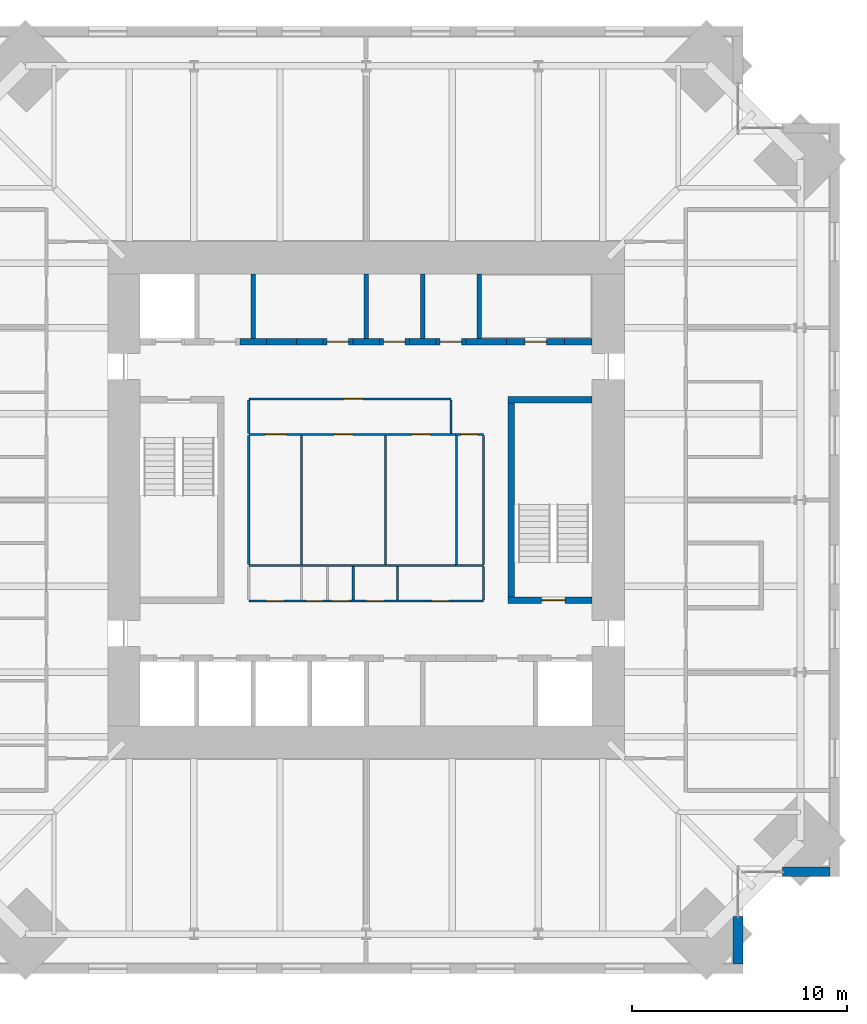
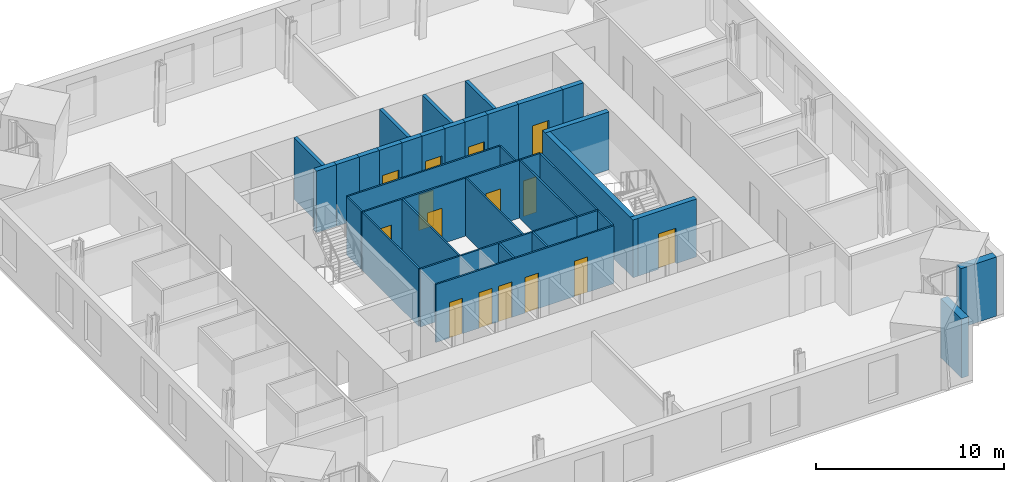
# One storey, part 13 of 16: 36 walls, 15 doors, 15 openings.
"""IFC4 building model written with IfcOpenShell, lengths in metres."""

from ifc_helpers import new_model, si_unit, direction, frame, frame_2d, origin, place, context, subcontext, project, spatial, rectangle, extrude, material, layer, layer_set, type_object, element, fill, save


model = new_model("IFC4")

# Units and contexts
model_context = context("Model", 3, precision=1e-05, world=origin(), true_north=direction((0.0, 1.0)))
body_context = subcontext(model_context, "Body", "Model", "MODEL_VIEW")
ifc_project = project(units=[si_unit("LENGTHUNIT", "METRE"), si_unit("AREAUNIT", "SQUARE_METRE"), si_unit("VOLUMEUNIT", "CUBIC_METRE"), si_unit("PLANEANGLEUNIT", "RADIAN"), si_unit("MASSUNIT", "GRAM", prefix="KILO")], contexts=[model_context])

# Site, building, storey
site_placement = place(None, origin())
site = spatial("IfcSite", under=ifc_project, at=site_placement, CompositionType="ELEMENT")
building_placement = place(site_placement, origin())
building = spatial("IfcBuilding", under=site, at=building_placement, Name="Peilmerk Tower", CompositionType="ELEMENT")
storey_placement = place(building_placement, frame((0.0, 0.0, 265.800048828125)))
storey = spatial("IfcBuildingStorey", under=building, at=storey_placement, Name="L59", CompositionType="ELEMENT", Elevation=265.800048828125)

# Walls
ifc_material_1 = material(Name="Precast concrete C45/55, board-marked finish", Category="concrete")
ifc_layer_1 = layer(ifc_material_1, 0.449951171875)
ifc_layer_set_1 = layer_set([ifc_layer_1], Name="Precast concrete C45/55, board-marked finish")
wall_type_1 = type_object("IfcWallType", Name="EW1 450 precast concrete facade wall, board-marked", PredefinedType="SOLIDWALL", material=ifc_layer_set_1)
for number, where, z_axis, x_axis, name in (
    (1, (17.27490234375, -19.353759765625, 0.0), (0.0, 0.0, 1.0), (0.0, -1.0, 0.0), "Facade wall SEA L59"),
    (2, (19.353759765625, -17.27490234375, 0.0), (0.0, 0.0, 1.0), (1.0, 0.0, 0.0), "Facade wall SEB L59"),
):
    element("IfcWall", number, at=place(storey_placement, frame(where, z_axis=z_axis, x_axis=x_axis)), inside=storey, type_object=wall_type_1, Name=name, PredefinedType="SOLIDWALL", context=body_context, shape_type="SweptSolid", body=[
        extrude(rectangle(XDim=2.1962890625, YDim=0.449951171875, at=frame_2d((1.09814453125, 0.0))), origin(), (0.0, 0.0, 1.0), 3.829833984375),
    ])
ifc_material_2 = material(Name="Concrete C35/45", Category="concrete")
ifc_layer_2 = layer(ifc_material_2, 0.300048828125)
ifc_layer_set_2 = layer_set([ifc_layer_2], Name="Concrete C35/45")
wall_type_2 = type_object("IfcWallType", Name="IW3 300 concrete stair enclosure wall, EI 120", PredefinedType="SOLIDWALL", material=ifc_layer_set_2)
wall_1_placement = place(storey_placement, frame((6.75, -4.800048828125, 0.0), z_axis=(0.0, 0.0, 1.0), x_axis=(0.0, 1.0, 0.0)))
element("IfcWall", 3, at=wall_1_placement, inside=storey, type_object=wall_type_2, Name="Stair 2 enclosure L59", PredefinedType="SOLIDWALL", context=body_context, shape_type="SweptSolid", body=[
    extrude(rectangle(XDim=9.60009765625, YDim=0.300048828125, at=frame_2d((4.800048828125, 0.0))), origin(), (0.0, 0.0, 1.0), 3.75),
])
wall_2_placement = place(storey_placement, frame((6.60009765625, 4.64990234375, 0.0), z_axis=(0.0, 0.0, 1.0), x_axis=(1.0, 0.0, 0.0)))
element("IfcWall", 4, at=wall_2_placement, inside=storey, type_object=wall_type_2, Name="Stair 2 enclosure L59", PredefinedType="SOLIDWALL", context=body_context, shape_type="SweptSolid", body=[
    extrude(rectangle(XDim=3.89990234375, YDim=0.300048828125, at=frame_2d((1.949951171875, 0.0))), origin(), (0.0, 0.0, 1.0), 3.75),
])

# Wall, opening, door
wall_3_placement = place(storey_placement, frame((10.5, -4.64990234375, 0.0), z_axis=(0.0, 0.0, 1.0), x_axis=(-1.0, 0.0, 0.0)))
wall_3 = element("IfcWall", 5, at=wall_3_placement, inside=storey, type_object=wall_type_2, Name="Stair 2 enclosure L59", PredefinedType="SOLIDWALL", context=body_context, shape_type="SweptSolid", body=[
    extrude(rectangle(XDim=3.89990234375, YDim=0.300048828125, at=frame_2d((1.949951171875, 0.0))), origin(), (0.0, 0.0, 1.0), 3.75),
])
opening_1_placement = place(wall_3_placement, frame((1.25, 0.0, 0.0)))
opening_1 = element("IfcOpeningElement", 6, at=opening_1_placement, cuts=wall_3, Name="Opening D4", PredefinedType="OPENING", context=body_context, shape_type="SweptSolid", body=[
    extrude(rectangle(XDim=1.10009765625, YDim=2.300048828125, at=frame_2d((0.550048828125, 1.14990234375))), frame((0.0, 0.159912109375, 0.0), z_axis=(0.0, -1.0, 0.0), x_axis=(1.0, 0.0, 0.0)), (0.0, 0.0, 1.0), 0.320068359375),
])
ifc_material_3 = material(Name="Steel door in steel frame", Category="steel")
door_type_1 = type_object("IfcDoorType", Name="D4 1100x2300 stair door, EI2 60", OperationType="SINGLE_SWING_RIGHT", PredefinedType="DOOR", material=ifc_material_3)
door_1_placement = place(opening_1_placement, frame((1.10009765625, 0.0, 0.0), z_axis=(0.0, 0.0, 1.0), x_axis=(-1.0, 0.0, 0.0)))
door_1 = element("IfcDoor", 7, at=door_1_placement, inside=storey, type_object=door_type_1, Name="Stair 2 door L59", OperationType="SINGLE_SWING_RIGHT", OverallHeight=2.300048828125, OverallWidth=1.10009765625, PredefinedType="DOOR", context=body_context, shape_type="SweptSolid", body=[
    extrude(rectangle(XDim=1.10009765625, YDim=2.300048828125, at=frame_2d((0.550048828125, 1.14990234375))), frame((0.0, 0.02490234375, 0.0), z_axis=(0.0, -1.0, 0.0), x_axis=(1.0, 0.0, 0.0)), (0.0, 0.0, 1.0), 0.050048828125),
])
fill(opening_1, door_1)

# Wall, openings, doors
ifc_material_4 = material(Name="Plasterboard on steel studs", Category="steel")
ifc_layer_3 = layer(ifc_material_4, 0.10009765625)
ifc_layer_set_3 = layer_set([ifc_layer_3], Name="Plasterboard on steel studs")
wall_type_3 = type_object("IfcWallType", Name="IW4 100 WC partition", PredefinedType="PARTITIONING", material=ifc_layer_set_3)
wall_4_placement = place(storey_placement, frame((-5.449951171875, 3.050048828125, 0.0), z_axis=(0.0, 0.0, 1.0), x_axis=(1.0, 0.0, 0.0)))
wall_4 = element("IfcWall", 8, at=wall_4_placement, inside=storey, type_object=wall_type_3, Name="WC wall L59", PredefinedType="PARTITIONING", context=body_context, shape_type="SweptSolid", body=[
    extrude(rectangle(XDim=9.599853515625, YDim=0.10009765625, at=frame_2d((4.7998046875, 0.0))), origin(), (0.0, 0.0, 1.0), 3.75),
])
opening_2_placement = place(wall_4_placement, frame((0.75, 0.0, 0.0)))
opening_2 = element("IfcOpeningElement", 9, at=opening_2_placement, cuts=wall_4, Name="Opening D6", PredefinedType="OPENING", context=body_context, shape_type="SweptSolid", body=[
    extrude(rectangle(XDim=1.0, YDim=2.300048828125, at=frame_2d((0.5, 1.14990234375))), frame((0.0, 0.06005859375, 0.0), z_axis=(0.0, -1.0, 0.0), x_axis=(1.0, 0.0, 0.0)), (0.0, 0.0, 1.0), 0.1201171875),
])
opening_3_placement = place(wall_4_placement, frame((3.949951171875, 0.0, 0.0)))
opening_3 = element("IfcOpeningElement", 10, at=opening_3_placement, cuts=wall_4, Name="Opening D5", PredefinedType="OPENING", context=body_context, shape_type="SweptSolid", body=[
    extrude(rectangle(XDim=0.89990234375, YDim=2.300048828125, at=frame_2d((0.449951171875, 1.14990234375))), frame((0.0, 0.06005859375, 0.0), z_axis=(0.0, -1.0, 0.0), x_axis=(1.0, 0.0, 0.0)), (0.0, 0.0, 1.0), 0.1201171875),
])
opening_4_placement = place(wall_4_placement, frame((7.550048828125, 0.0, 0.0)))
opening_4 = element("IfcOpeningElement", 11, at=opening_4_placement, cuts=wall_4, Name="Opening D5", PredefinedType="OPENING", context=body_context, shape_type="SweptSolid", body=[
    extrude(rectangle(XDim=0.89990234375, YDim=2.300048828125, at=frame_2d((0.449951171875, 1.14990234375))), frame((0.0, 0.06005859375, 0.0), z_axis=(0.0, -1.0, 0.0), x_axis=(1.0, 0.0, 0.0)), (0.0, 0.0, 1.0), 0.1201171875),
])
ifc_material_5 = material(Name="Timber door in steel frame", Category="steel")
door_type_2 = type_object("IfcDoorType", Name="D5 900x2300 WC door", OperationType="SINGLE_SWING_LEFT", PredefinedType="DOOR", material=ifc_material_5)
door_2_placement = place(opening_3_placement, frame((0.89990234375, 0.0, 0.0), z_axis=(0.0, 0.0, 1.0), x_axis=(-1.0, 0.0, 0.0)))
door_2 = element("IfcDoor", 12, at=door_2_placement, inside=storey, type_object=door_type_2, Name="Female toilets door L59", OperationType="SINGLE_SWING_LEFT", OverallHeight=2.300048828125, OverallWidth=0.89990234375, PredefinedType="DOOR", context=body_context, shape_type="SweptSolid", body=[
    extrude(rectangle(XDim=0.89990234375, YDim=2.300048828125, at=frame_2d((0.449951171875, 1.14990234375))), frame((0.0, 0.02490234375, 0.0), z_axis=(0.0, -1.0, 0.0), x_axis=(1.0, 0.0, 0.0)), (0.0, 0.0, 1.0), 0.050048828125),
])
fill(opening_3, door_2)
door_3_placement = place(opening_4_placement, frame((0.89990234375, 0.0, 0.0), z_axis=(0.0, 0.0, 1.0), x_axis=(-1.0, 0.0, 0.0)))
door_3 = element("IfcDoor", 13, at=door_3_placement, inside=storey, type_object=door_type_2, Name="Male toilets door L59", OperationType="SINGLE_SWING_LEFT", OverallHeight=2.300048828125, OverallWidth=0.89990234375, PredefinedType="DOOR", context=body_context, shape_type="SweptSolid", body=[
    extrude(rectangle(XDim=0.89990234375, YDim=2.300048828125, at=frame_2d((0.449951171875, 1.14990234375))), frame((0.0, 0.02490234375, 0.0), z_axis=(0.0, -1.0, 0.0), x_axis=(1.0, 0.0, 0.0)), (0.0, 0.0, 1.0), 0.050048828125),
])
fill(opening_4, door_3)
door_type_3 = type_object("IfcDoorType", Name="D6 1000x2300 accessible WC door", OperationType="SLIDING_TO_LEFT", PredefinedType="DOOR", material=ifc_material_5)
door_4_placement = place(opening_2_placement, frame((1.0, 0.0, 0.0), z_axis=(0.0, 0.0, 1.0), x_axis=(-1.0, 0.0, 0.0)))
door_4 = element("IfcDoor", 14, at=door_4_placement, inside=storey, type_object=door_type_3, Name="Accessible WC door L59", OperationType="SLIDING_TO_LEFT", OverallHeight=2.300048828125, OverallWidth=1.0, PredefinedType="DOOR", context=body_context, shape_type="SweptSolid", body=[
    extrude(rectangle(XDim=1.0, YDim=2.300048828125, at=frame_2d((0.5, 1.14990234375))), frame((0.0, 0.02490234375, 0.0), z_axis=(0.0, -1.0, 0.0), x_axis=(1.0, 0.0, 0.0)), (0.0, 0.0, 1.0), 0.050048828125),
])
fill(opening_2, door_4)

# Walls
wall_5_placement = place(storey_placement, frame((4.14990234375, -3.050048828125, 0.0), z_axis=(0.0, 0.0, 1.0), x_axis=(-1.0, 0.0, 0.0)))
element("IfcWall", 15, at=wall_5_placement, inside=storey, type_object=wall_type_3, Name="WC wall L59", PredefinedType="PARTITIONING", context=body_context, shape_type="SweptSolid", body=[
    extrude(rectangle(XDim=9.599853515625, YDim=0.10009765625, at=frame_2d((4.7998046875, 0.0))), origin(), (0.0, 0.0, 1.0), 3.75),
])
for number, where, z_axis, x_axis, name in (
    (16, (-5.449951171875, -3.0, 0.0), (0.0, 0.0, 1.0), (0.0, 1.0, 0.0), "WC wall L59"),
    (17, (-3.0, -3.0, 0.0), (0.0, 0.0, 1.0), (0.0, 1.0, 0.0), "WC wall L59"),
    (18, (0.89990234375, -3.0, 0.0), (0.0, 0.0, 1.0), (0.0, 1.0, 0.0), "WC wall L59"),
):
    element("IfcWall", number, at=place(storey_placement, frame(where, z_axis=z_axis, x_axis=x_axis)), inside=storey, type_object=wall_type_3, Name=name, PredefinedType="PARTITIONING", context=body_context, shape_type="SweptSolid", body=[
        extrude(rectangle(XDim=6.0, YDim=0.10009765625, at=frame_2d((3.0, 0.0))), origin(), (0.0, 0.0, 1.0), 3.75),
    ])

# Wall, opening, door
ifc_material_6 = material(Name="Calcium silicate board on steel studs", Category="steel")
ifc_layer_4 = layer(ifc_material_6, 0.10009765625)
ifc_layer_set_4 = layer_set([ifc_layer_4], Name="Calcium silicate board on steel studs")
wall_type_4 = type_object("IfcWallType", Name="IW5 100 riser enclosure wall, EI 60", PredefinedType="PARTITIONING", material=ifc_layer_set_4)
wall_6_placement = place(storey_placement, frame((4.14990234375, 3.050048828125, 0.0), z_axis=(0.0, 0.0, 1.0), x_axis=(1.0, 0.0, 0.0)))
wall_6 = element("IfcWall", 19, at=wall_6_placement, inside=storey, type_object=wall_type_4, Name="Riser wall L59", PredefinedType="PARTITIONING", context=body_context, shape_type="SweptSolid", body=[
    extrude(rectangle(XDim=1.300048828125, YDim=0.10009765625, at=frame_2d((0.64990234375, 0.0))), origin(), (0.0, 0.0, 1.0), 3.75),
])
opening_5_placement = place(wall_6_placement, frame((0.25, 0.0, 0.0)))
opening_5 = element("IfcOpeningElement", 20, at=opening_5_placement, cuts=wall_6, Name="Opening D7", PredefinedType="OPENING", context=body_context, shape_type="SweptSolid", body=[
    extrude(rectangle(XDim=0.800048828125, YDim=2.300048828125, at=frame_2d((0.39990234375, 1.14990234375))), frame((0.0, 0.06005859375, 0.0), z_axis=(0.0, -1.0, 0.0), x_axis=(1.0, 0.0, 0.0)), (0.0, 0.0, 1.0), 0.1201171875),
])
door_type_4 = type_object("IfcDoorType", Name="D7 800x2300 riser access door, EI2 60", OperationType="SINGLE_SWING_RIGHT", PredefinedType="DOOR", material=ifc_material_3)
door_5_placement = place(opening_5_placement, frame((0.800048828125, 0.0, 0.0), z_axis=(0.0, 0.0, 1.0), x_axis=(-1.0, 0.0, 0.0)))
door_5 = element("IfcDoor", 21, at=door_5_placement, inside=storey, type_object=door_type_4, Name="Plumbing riser door L59", OperationType="SINGLE_SWING_RIGHT", OverallHeight=2.300048828125, OverallWidth=0.800048828125, PredefinedType="DOOR", context=body_context, shape_type="SweptSolid", body=[
    extrude(rectangle(XDim=0.800048828125, YDim=2.300048828125, at=frame_2d((0.39990234375, 1.14990234375))), frame((0.0, 0.02490234375, 0.0), z_axis=(0.0, -1.0, 0.0), x_axis=(1.0, 0.0, 0.0)), (0.0, 0.0, 1.0), 0.050048828125),
])
fill(opening_5, door_5)

# Walls
wall_7_placement = place(storey_placement, frame((5.449951171875, -3.050048828125, 0.0), z_axis=(0.0, 0.0, 1.0), x_axis=(-1.0, 0.0, 0.0)))
element("IfcWall", 22, at=wall_7_placement, inside=storey, type_object=wall_type_4, Name="Riser wall L59", PredefinedType="PARTITIONING", context=body_context, shape_type="SweptSolid", body=[
    extrude(rectangle(XDim=1.300048828125, YDim=0.10009765625, at=frame_2d((0.64990234375, 0.0))), origin(), (0.0, 0.0, 1.0), 3.75),
])
for number, where, z_axis, x_axis, name in (
    (23, (5.449951171875, 3.0, 0.0), (0.0, 0.0, 1.0), (0.0, -1.0, 0.0), "Riser wall L59"),
    (24, (4.199951171875, -3.0, 0.0), (0.0, 0.0, 1.0), (0.0, 1.0, 0.0), "Riser wall L59"),
):
    element("IfcWall", number, at=place(storey_placement, frame(where, z_axis=z_axis, x_axis=x_axis)), inside=storey, type_object=wall_type_4, Name=name, PredefinedType="PARTITIONING", context=body_context, shape_type="SweptSolid", body=[
        extrude(rectangle(XDim=6.0, YDim=0.10009765625, at=frame_2d((3.0, 0.0))), origin(), (0.0, 0.0, 1.0), 3.75),
    ])

# Wall, openings, doors
wall_8_placement = place(storey_placement, frame((5.449951171875, -4.699951171875, 0.0), z_axis=(0.0, 0.0, 1.0), x_axis=(-1.0, 0.0, 0.0)))
wall_8 = element("IfcWall", 25, at=wall_8_placement, inside=storey, type_object=wall_type_4, Name="Riser wall L59", PredefinedType="PARTITIONING", context=body_context, shape_type="SweptSolid", body=[
    extrude(rectangle(XDim=10.89990234375, YDim=0.10009765625, at=frame_2d((5.449951171875, 0.0))), origin(), (0.0, 0.0, 1.0), 3.75),
])
opening_6_placement = place(wall_8_placement, frame((9.27490234375, 0.0, 0.0)))
opening_6 = element("IfcOpeningElement", 26, at=opening_6_placement, cuts=wall_8, Name="Opening D7", PredefinedType="OPENING", context=body_context, shape_type="SweptSolid", body=[
    extrude(rectangle(XDim=0.800048828125, YDim=2.300048828125, at=frame_2d((0.39990234375, 1.14990234375))), frame((0.0, 0.06005859375, 0.0), z_axis=(0.0, -1.0, 0.0), x_axis=(1.0, 0.0, 0.0)), (0.0, 0.0, 1.0), 0.1201171875),
])
opening_7_placement = place(wall_8_placement, frame((7.449951171875, 0.0, 0.0)))
opening_7 = element("IfcOpeningElement", 27, at=opening_7_placement, cuts=wall_8, Name="Opening D7", PredefinedType="OPENING", context=body_context, shape_type="SweptSolid", body=[
    extrude(rectangle(XDim=0.800048828125, YDim=2.300048828125, at=frame_2d((0.39990234375, 1.14990234375))), frame((0.0, 0.06005859375, 0.0), z_axis=(0.0, -1.0, 0.0), x_axis=(1.0, 0.0, 0.0)), (0.0, 0.0, 1.0), 0.1201171875),
])
opening_8_placement = place(wall_8_placement, frame((6.25, 0.0, 0.0)))
opening_8 = element("IfcOpeningElement", 28, at=opening_8_placement, cuts=wall_8, Name="Opening D7", PredefinedType="OPENING", context=body_context, shape_type="SweptSolid", body=[
    extrude(rectangle(XDim=0.800048828125, YDim=2.300048828125, at=frame_2d((0.39990234375, 1.14990234375))), frame((0.0, 0.06005859375, 0.0), z_axis=(0.0, -1.0, 0.0), x_axis=(1.0, 0.0, 0.0)), (0.0, 0.0, 1.0), 0.1201171875),
])
opening_9_placement = place(wall_8_placement, frame((4.625, 0.0, 0.0)))
opening_9 = element("IfcOpeningElement", 29, at=opening_9_placement, cuts=wall_8, Name="Opening D7", PredefinedType="OPENING", context=body_context, shape_type="SweptSolid", body=[
    extrude(rectangle(XDim=0.800048828125, YDim=2.300048828125, at=frame_2d((0.39990234375, 1.14990234375))), frame((0.0, 0.06005859375, 0.0), z_axis=(0.0, -1.0, 0.0), x_axis=(1.0, 0.0, 0.0)), (0.0, 0.0, 1.0), 0.1201171875),
])
opening_10_placement = place(wall_8_placement, frame((1.60009765625, 0.0, 0.0)))
opening_10 = element("IfcOpeningElement", 30, at=opening_10_placement, cuts=wall_8, Name="Opening D7", PredefinedType="OPENING", context=body_context, shape_type="SweptSolid", body=[
    extrude(rectangle(XDim=0.800048828125, YDim=2.300048828125, at=frame_2d((0.39990234375, 1.14990234375))), frame((0.0, 0.06005859375, 0.0), z_axis=(0.0, -1.0, 0.0), x_axis=(1.0, 0.0, 0.0)), (0.0, 0.0, 1.0), 0.1201171875),
])
door_6_placement = place(opening_6_placement, frame((0.800048828125, 0.0, 0.0), z_axis=(0.0, 0.0, 1.0), x_axis=(-1.0, 0.0, 0.0)))
door_6 = element("IfcDoor", 31, at=door_6_placement, inside=storey, type_object=door_type_4, Name="Cleaner's cupboard door L59", OperationType="SINGLE_SWING_RIGHT", OverallHeight=2.300048828125, OverallWidth=0.800048828125, PredefinedType="DOOR", context=body_context, shape_type="SweptSolid", body=[
    extrude(rectangle(XDim=0.800048828125, YDim=2.300048828125, at=frame_2d((0.39990234375, 1.14990234375))), frame((0.0, 0.02490234375, 0.0), z_axis=(0.0, -1.0, 0.0), x_axis=(1.0, 0.0, 0.0)), (0.0, 0.0, 1.0), 0.050048828125),
])
fill(opening_6, door_6)
door_7_placement = place(opening_7_placement, frame((0.800048828125, 0.0, 0.0), z_axis=(0.0, 0.0, 1.0), x_axis=(-1.0, 0.0, 0.0)))
door_7 = element("IfcDoor", 32, at=door_7_placement, inside=storey, type_object=door_type_4, Name="Electrical riser door L59", OperationType="SINGLE_SWING_RIGHT", OverallHeight=2.300048828125, OverallWidth=0.800048828125, PredefinedType="DOOR", context=body_context, shape_type="SweptSolid", body=[
    extrude(rectangle(XDim=0.800048828125, YDim=2.300048828125, at=frame_2d((0.39990234375, 1.14990234375))), frame((0.0, 0.02490234375, 0.0), z_axis=(0.0, -1.0, 0.0), x_axis=(1.0, 0.0, 0.0)), (0.0, 0.0, 1.0), 0.050048828125),
])
fill(opening_7, door_7)
door_8_placement = place(opening_8_placement, frame((0.800048828125, 0.0, 0.0), z_axis=(0.0, 0.0, 1.0), x_axis=(-1.0, 0.0, 0.0)))
door_8 = element("IfcDoor", 33, at=door_8_placement, inside=storey, type_object=door_type_4, Name="Data riser door L59", OperationType="SINGLE_SWING_RIGHT", OverallHeight=2.300048828125, OverallWidth=0.800048828125, PredefinedType="DOOR", context=body_context, shape_type="SweptSolid", body=[
    extrude(rectangle(XDim=0.800048828125, YDim=2.300048828125, at=frame_2d((0.39990234375, 1.14990234375))), frame((0.0, 0.02490234375, 0.0), z_axis=(0.0, -1.0, 0.0), x_axis=(1.0, 0.0, 0.0)), (0.0, 0.0, 1.0), 0.050048828125),
])
fill(opening_8, door_8)
door_9_placement = place(opening_9_placement, frame((0.800048828125, 0.0, 0.0), z_axis=(0.0, 0.0, 1.0), x_axis=(-1.0, 0.0, 0.0)))
door_9 = element("IfcDoor", 34, at=door_9_placement, inside=storey, type_object=door_type_4, Name="Electrical room door L59", OperationType="SINGLE_SWING_RIGHT", OverallHeight=2.300048828125, OverallWidth=0.800048828125, PredefinedType="DOOR", context=body_context, shape_type="SweptSolid", body=[
    extrude(rectangle(XDim=0.800048828125, YDim=2.300048828125, at=frame_2d((0.39990234375, 1.14990234375))), frame((0.0, 0.02490234375, 0.0), z_axis=(0.0, -1.0, 0.0), x_axis=(1.0, 0.0, 0.0)), (0.0, 0.0, 1.0), 0.050048828125),
])
fill(opening_9, door_9)
door_10_placement = place(opening_10_placement, frame((0.800048828125, 0.0, 0.0), z_axis=(0.0, 0.0, 1.0), x_axis=(-1.0, 0.0, 0.0)))
door_10 = element("IfcDoor", 35, at=door_10_placement, inside=storey, type_object=door_type_4, Name="Comms room door L59", OperationType="SINGLE_SWING_RIGHT", OverallHeight=2.300048828125, OverallWidth=0.800048828125, PredefinedType="DOOR", context=body_context, shape_type="SweptSolid", body=[
    extrude(rectangle(XDim=0.800048828125, YDim=2.300048828125, at=frame_2d((0.39990234375, 1.14990234375))), frame((0.0, 0.02490234375, 0.0), z_axis=(0.0, -1.0, 0.0), x_axis=(1.0, 0.0, 0.0)), (0.0, 0.0, 1.0), 0.050048828125),
])
fill(opening_10, door_10)

# Walls
for number, where, z_axis, x_axis, name in (
    (36, (5.449951171875, -3.10009765625, 0.0), (0.0, 0.0, 1.0), (0.0, -1.0, 0.0), "Riser wall L59"),
    (37, (-0.60009765625, -3.10009765625, 0.0), (0.0, 0.0, 1.0), (0.0, -1.0, 0.0), "Riser wall L59"),
    (38, (1.449951171875, -3.10009765625, 0.0), (0.0, 0.0, 1.0), (0.0, -1.0, 0.0), "Riser wall L59"),
):
    element("IfcWall", number, at=place(storey_placement, frame(where, z_axis=z_axis, x_axis=x_axis)), inside=storey, type_object=wall_type_4, Name=name, PredefinedType="PARTITIONING", context=body_context, shape_type="SweptSolid", body=[
        extrude(rectangle(XDim=1.5498046875, YDim=0.10009765625, at=frame_2d((0.77490234375, 0.0))), origin(), (0.0, 0.0, 1.0), 3.75),
    ])

# Wall, opening, door
ifc_material_7 = material(Name="Fire-resisting plasterboard on steel studs", Category="steel")
ifc_layer_5 = layer(ifc_material_7, 0.10009765625)
ifc_layer_set_5 = layer_set([ifc_layer_5], Name="Fire-resisting plasterboard on steel studs")
wall_type_5 = type_object("IfcWallType", Name="IW9 100 WC lobby wall, EI 30", PredefinedType="PARTITIONING", material=ifc_layer_set_5)
wall_9_placement = place(storey_placement, frame((-5.449951171875, 4.699951171875, 0.0), z_axis=(0.0, 0.0, 1.0), x_axis=(1.0, 0.0, 0.0)))
wall_9 = element("IfcWall", 39, at=wall_9_placement, inside=storey, type_object=wall_type_5, Name="WC lobby wall L59", PredefinedType="PARTITIONING", context=body_context, shape_type="SweptSolid", body=[
    extrude(rectangle(XDim=9.39990234375, YDim=0.10009765625, at=frame_2d((4.699951171875, 0.0))), origin(), (0.0, 0.0, 1.0), 3.75),
])
opening_11_placement = place(wall_9_placement, frame((4.39990234375, 0.0, 0.0)))
opening_11 = element("IfcOpeningElement", 40, at=opening_11_placement, cuts=wall_9, Name="Opening D11", PredefinedType="OPENING", context=body_context, shape_type="SweptSolid", body=[
    extrude(rectangle(XDim=0.89990234375, YDim=2.300048828125, at=frame_2d((0.449951171875, 1.14990234375))), frame((0.0, 0.06005859375, 0.0), z_axis=(0.0, -1.0, 0.0), x_axis=(1.0, 0.0, 0.0)), (0.0, 0.0, 1.0), 0.1201171875),
])
door_type_5 = type_object("IfcDoorType", Name="D11 900x2300 WC lobby door, EI2 30", OperationType="SINGLE_SWING_LEFT", PredefinedType="DOOR", material=ifc_material_5)
door_11_placement = place(opening_11_placement, frame((0.89990234375, 0.0, 0.0), z_axis=(0.0, 0.0, 1.0), x_axis=(-1.0, 0.0, 0.0)))
door_11 = element("IfcDoor", 41, at=door_11_placement, inside=storey, type_object=door_type_5, Name="WC lobby door L59", OperationType="SINGLE_SWING_LEFT", OverallHeight=2.300048828125, OverallWidth=0.89990234375, PredefinedType="DOOR", context=body_context, shape_type="SweptSolid", body=[
    extrude(rectangle(XDim=0.89990234375, YDim=2.300048828125, at=frame_2d((0.449951171875, 1.14990234375))), frame((0.0, 0.02490234375, 0.0), z_axis=(0.0, -1.0, 0.0), x_axis=(1.0, 0.0, 0.0)), (0.0, 0.0, 1.0), 0.050048828125),
])
fill(opening_11, door_11)

# Walls
for number, where, z_axis, x_axis, name in (
    (42, (-5.449951171875, 3.10009765625, 0.0), (0.0, 0.0, 1.0), (0.0, 1.0, 0.0), "WC lobby wall L59"),
    (43, (3.949951171875, 3.10009765625, 0.0), (0.0, 0.0, 1.0), (0.0, 1.0, 0.0), "WC lobby wall L59"),
):
    element("IfcWall", number, at=place(storey_placement, frame(where, z_axis=z_axis, x_axis=x_axis)), inside=storey, type_object=wall_type_5, Name=name, PredefinedType="PARTITIONING", context=body_context, shape_type="SweptSolid", body=[
        extrude(rectangle(XDim=1.5498046875, YDim=0.10009765625, at=frame_2d((0.77490234375, 0.0))), origin(), (0.0, 0.0, 1.0), 3.75),
    ])
ifc_material_8 = material(Name="Calcium silicate block", Category="masonry")
ifc_layer_6 = layer(ifc_material_8, 0.199951171875)
ifc_layer_set_6 = layer_set([ifc_layer_6], Name="Calcium silicate block")
wall_type_6 = type_object("IfcWallType", Name="SH1 200 shaft dividing wall, EI 120", PredefinedType="PARTITIONING", material=ifc_layer_set_6)
for number, where, z_axis, x_axis, name in (
    (44, (-5.25, 7.5, 0.0), (0.0, 0.0, 1.0), (0.0, 1.0, 0.0), "Shaft wall N A1 L59"),
    (45, (0.0, 7.5, 0.0), (0.0, 0.0, 1.0), (0.0, 1.0, 0.0), "Shaft wall N A3 L59"),
    (46, (2.625, 7.5, 0.0), (0.0, 0.0, 1.0), (0.0, 1.0, 0.0), "Shaft wall N S1 L59"),
    (47, (5.25, 7.5, 0.0), (0.0, 0.0, 1.0), (0.0, 1.0, 0.0), "Shaft wall N S2 L59"),
):
    element("IfcWall", number, at=place(storey_placement, frame(where, z_axis=z_axis, x_axis=x_axis)), inside=storey, type_object=wall_type_6, Name=name, PredefinedType="PARTITIONING", context=body_context, shape_type="SweptSolid", body=[
        extrude(rectangle(XDim=3.0, YDim=0.199951171875, at=frame_2d((1.5, 0.0))), origin(), (0.0, 0.0, 1.0), 4.0),
    ])
ifc_layer_7 = layer(ifc_material_8, 0.300048828125)
ifc_layer_set_7 = layer_set([ifc_layer_7], Name="Calcium silicate block")
wall_type_7 = type_object("IfcWallType", Name="SH2 300 lift landing door panel, EI 120", PredefinedType="PARTITIONING", material=ifc_layer_set_7)
wall_10_placement = place(storey_placement, frame((-4.637451171875, 7.35009765625, 0.0), z_axis=(0.0, 0.0, 1.0), x_axis=(1.0, 0.0, 0.0)))
element("IfcWall", 48, at=wall_10_placement, inside=storey, type_object=wall_type_7, Name="Lift door panel N A2 L59", PredefinedType="PARTITIONING", context=body_context, shape_type="SweptSolid", body=[
    extrude(rectangle(XDim=1.39990234375, YDim=0.300048828125, at=frame_2d((0.699951171875, 0.0))), origin(), (0.0, 0.0, 1.0), 4.0),
])

# Wall, opening, door
wall_11_placement = place(storey_placement, frame((-2.012451171875, 7.35009765625, 0.0), z_axis=(0.0, 0.0, 1.0), x_axis=(1.0, 0.0, 0.0)))
wall_11 = element("IfcWall", 49, at=wall_11_placement, inside=storey, type_object=wall_type_7, Name="Lift door panel N A3 L59", PredefinedType="PARTITIONING", context=body_context, shape_type="SweptSolid", body=[
    extrude(rectangle(XDim=1.39990234375, YDim=0.300048828125, at=frame_2d((0.699951171875, 0.0))), origin(), (0.0, 0.0, 1.0), 4.0),
])
opening_12_placement = place(wall_11_placement, frame((0.199951171875, 0.0, 0.0)))
opening_12 = element("IfcOpeningElement", 50, at=opening_12_placement, cuts=wall_11, Name="Opening D10", PredefinedType="OPENING", context=body_context, shape_type="SweptSolid", body=[
    extrude(rectangle(XDim=1.0, YDim=2.300048828125, at=frame_2d((0.5, 1.14990234375))), frame((0.0, 0.159912109375, 0.0), z_axis=(0.0, -1.0, 0.0), x_axis=(1.0, 0.0, 0.0)), (0.0, 0.0, 1.0), 0.320068359375),
])
door_type_6 = type_object("IfcDoorType", Name="D10 1000x2300 core room door, EI2 60", OperationType="SINGLE_SWING_RIGHT", PredefinedType="DOOR", material=ifc_material_3)
door_12_placement = place(opening_12_placement, origin())
door_12 = element("IfcDoor", 51, at=door_12_placement, inside=storey, type_object=door_type_6, Name="Door Mail room L59", OperationType="SINGLE_SWING_RIGHT", OverallHeight=2.300048828125, OverallWidth=1.0, PredefinedType="DOOR", context=body_context, shape_type="SweptSolid", body=[
    extrude(rectangle(XDim=1.0, YDim=2.300048828125, at=frame_2d((0.5, 1.14990234375))), frame((0.0, 0.02490234375, 0.0), z_axis=(0.0, -1.0, 0.0), x_axis=(1.0, 0.0, 0.0)), (0.0, 0.0, 1.0), 0.050048828125),
])
fill(opening_12, door_12)

wall_12_placement = place(storey_placement, frame((0.612548828125, 7.35009765625, 0.0), z_axis=(0.0, 0.0, 1.0), x_axis=(1.0, 0.0, 0.0)))
wall_12 = element("IfcWall", 52, at=wall_12_placement, inside=storey, type_object=wall_type_7, Name="Lift door panel N S1 L59", PredefinedType="PARTITIONING", context=body_context, shape_type="SweptSolid", body=[
    extrude(rectangle(XDim=1.39990234375, YDim=0.300048828125, at=frame_2d((0.699951171875, 0.0))), origin(), (0.0, 0.0, 1.0), 4.0),
])
opening_13_placement = place(wall_12_placement, frame((0.199951171875, 0.0, 0.0)))
opening_13 = element("IfcOpeningElement", 53, at=opening_13_placement, cuts=wall_12, Name="Opening D10", PredefinedType="OPENING", context=body_context, shape_type="SweptSolid", body=[
    extrude(rectangle(XDim=1.0, YDim=2.300048828125, at=frame_2d((0.5, 1.14990234375))), frame((0.0, 0.159912109375, 0.0), z_axis=(0.0, -1.0, 0.0), x_axis=(1.0, 0.0, 0.0)), (0.0, 0.0, 1.0), 0.320068359375),
])
door_13_placement = place(opening_13_placement, origin())
door_13 = element("IfcDoor", 54, at=door_13_placement, inside=storey, type_object=door_type_6, Name="Door Water meter room L59", OperationType="SINGLE_SWING_RIGHT", OverallHeight=2.300048828125, OverallWidth=1.0, PredefinedType="DOOR", context=body_context, shape_type="SweptSolid", body=[
    extrude(rectangle(XDim=1.0, YDim=2.300048828125, at=frame_2d((0.5, 1.14990234375))), frame((0.0, 0.02490234375, 0.0), z_axis=(0.0, -1.0, 0.0), x_axis=(1.0, 0.0, 0.0)), (0.0, 0.0, 1.0), 0.050048828125),
])
fill(opening_13, door_13)

wall_13_placement = place(storey_placement, frame((3.237548828125, 7.35009765625, 0.0), z_axis=(0.0, 0.0, 1.0), x_axis=(1.0, 0.0, 0.0)))
wall_13 = element("IfcWall", 55, at=wall_13_placement, inside=storey, type_object=wall_type_7, Name="Lift door panel N S2 L59", PredefinedType="PARTITIONING", context=body_context, shape_type="SweptSolid", body=[
    extrude(rectangle(XDim=1.39990234375, YDim=0.300048828125, at=frame_2d((0.699951171875, 0.0))), origin(), (0.0, 0.0, 1.0), 4.0),
])
opening_14_placement = place(wall_13_placement, frame((0.199951171875, 0.0, 0.0)))
opening_14 = element("IfcOpeningElement", 56, at=opening_14_placement, cuts=wall_13, Name="Opening D10", PredefinedType="OPENING", context=body_context, shape_type="SweptSolid", body=[
    extrude(rectangle(XDim=1.0, YDim=2.300048828125, at=frame_2d((0.5, 1.14990234375))), frame((0.0, 0.159912109375, 0.0), z_axis=(0.0, -1.0, 0.0), x_axis=(1.0, 0.0, 0.0)), (0.0, 0.0, 1.0), 0.320068359375),
])
door_14_placement = place(opening_14_placement, origin())
door_14 = element("IfcDoor", 57, at=door_14_placement, inside=storey, type_object=door_type_6, Name="Door IT room L59", OperationType="SINGLE_SWING_RIGHT", OverallHeight=2.300048828125, OverallWidth=1.0, PredefinedType="DOOR", context=body_context, shape_type="SweptSolid", body=[
    extrude(rectangle(XDim=1.0, YDim=2.300048828125, at=frame_2d((0.5, 1.14990234375))), frame((0.0, 0.02490234375, 0.0), z_axis=(0.0, -1.0, 0.0), x_axis=(1.0, 0.0, 0.0)), (0.0, 0.0, 1.0), 0.050048828125),
])
fill(opening_14, door_14)

wall_14_placement = place(storey_placement, frame((6.52490234375, 7.35009765625, 0.0), z_axis=(0.0, 0.0, 1.0), x_axis=(1.0, 0.0, 0.0)))
wall_14 = element("IfcWall", 58, at=wall_14_placement, inside=storey, type_object=wall_type_7, Name="Lift door panel N GL1 L59", PredefinedType="PARTITIONING", context=body_context, shape_type="SweptSolid", body=[
    extrude(rectangle(XDim=2.7001953125, YDim=0.300048828125, at=frame_2d((1.35009765625, 0.0))), origin(), (0.0, 0.0, 1.0), 4.0),
])
opening_15_placement = place(wall_14_placement, frame((0.85009765625, 0.0, 0.0)))
opening_15 = element("IfcOpeningElement", 59, at=opening_15_placement, cuts=wall_14, Name="Opening D10", PredefinedType="OPENING", context=body_context, shape_type="SweptSolid", body=[
    extrude(rectangle(XDim=1.0, YDim=2.300048828125, at=frame_2d((0.5, 1.14990234375))), frame((0.0, 0.159912109375, 0.0), z_axis=(0.0, -1.0, 0.0), x_axis=(1.0, 0.0, 0.0)), (0.0, 0.0, 1.0), 0.320068359375),
])
door_15_placement = place(opening_15_placement, origin())
door_15 = element("IfcDoor", 60, at=door_15_placement, inside=storey, type_object=door_type_6, Name="Door Pantry L59", OperationType="SINGLE_SWING_RIGHT", OverallHeight=2.300048828125, OverallWidth=1.0, PredefinedType="DOOR", context=body_context, shape_type="SweptSolid", body=[
    extrude(rectangle(XDim=1.0, YDim=2.300048828125, at=frame_2d((0.5, 1.14990234375))), frame((0.0, 0.02490234375, 0.0), z_axis=(0.0, -1.0, 0.0), x_axis=(1.0, 0.0, 0.0)), (0.0, 0.0, 1.0), 0.050048828125),
])
fill(opening_15, door_15)

# Walls
ifc_material_9 = material(Name="Concrete C55/67", Category="concrete")
ifc_layer_8 = layer(ifc_material_9, 0.300048828125)
ifc_layer_set_8 = layer_set([ifc_layer_8], Name="Concrete C55/67")
wall_type_8 = type_object("IfcWallType", Name="SW2 300 lift bank pier", PredefinedType="SHEAR", material=ifc_layer_set_8)
for number, where, z_axis, x_axis, name in (
    (61, (-5.862548828125, 7.35009765625, 0.0), (0.0, 0.0, 1.0), (1.0, 0.0, 0.0), "Lift bank pier N L59"),
    (62, (-3.237548828125, 7.35009765625, 0.0), (0.0, 0.0, 1.0), (1.0, 0.0, 0.0), "Lift bank pier N L59"),
    (63, (-0.612548828125, 7.35009765625, 0.0), (0.0, 0.0, 1.0), (1.0, 0.0, 0.0), "Lift bank pier N L59"),
    (64, (2.012451171875, 7.35009765625, 0.0), (0.0, 0.0, 1.0), (1.0, 0.0, 0.0), "Lift bank pier N L59"),
):
    element("IfcWall", number, at=place(storey_placement, frame(where, z_axis=z_axis, x_axis=x_axis)), inside=storey, type_object=wall_type_8, Name=name, PredefinedType="SHEAR", context=body_context, shape_type="SweptSolid", body=[
        extrude(rectangle(XDim=1.22509765625, YDim=0.300048828125, at=frame_2d((0.612548828125, 0.0))), origin(), (0.0, 0.0, 1.0), 4.0),
    ])
wall_15_placement = place(storey_placement, frame((4.637451171875, 7.35009765625, 0.0), z_axis=(0.0, 0.0, 1.0), x_axis=(1.0, 0.0, 0.0)))
element("IfcWall", 65, at=wall_15_placement, inside=storey, type_object=wall_type_8, Name="Lift bank pier N L59", PredefinedType="SHEAR", context=body_context, shape_type="SweptSolid", body=[
    extrude(rectangle(XDim=1.887451171875, YDim=0.300048828125, at=frame_2d((0.94384765625, 0.0))), origin(), (0.0, 0.0, 1.0), 4.0),
])
wall_16_placement = place(storey_placement, frame((9.22509765625, 7.35009765625, 0.0), z_axis=(0.0, 0.0, 1.0), x_axis=(1.0, 0.0, 0.0)))
element("IfcWall", 66, at=wall_16_placement, inside=storey, type_object=wall_type_8, Name="Lift bank pier N L59", PredefinedType="SHEAR", context=body_context, shape_type="SweptSolid", body=[
    extrude(rectangle(XDim=1.27490234375, YDim=0.300048828125, at=frame_2d((0.637451171875, 0.0))), origin(), (0.0, 0.0, 1.0), 4.0),
])

save(model, "model.ifc")
